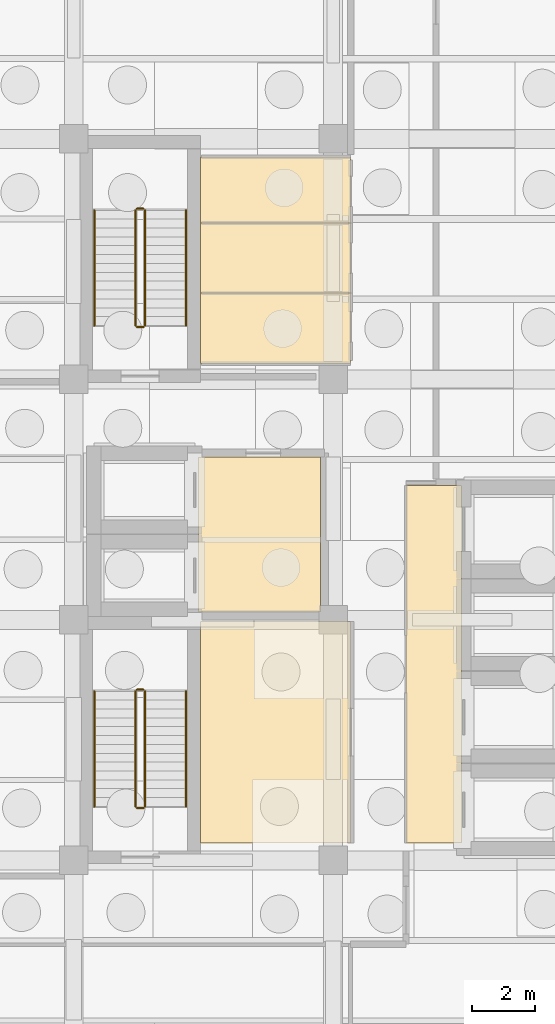
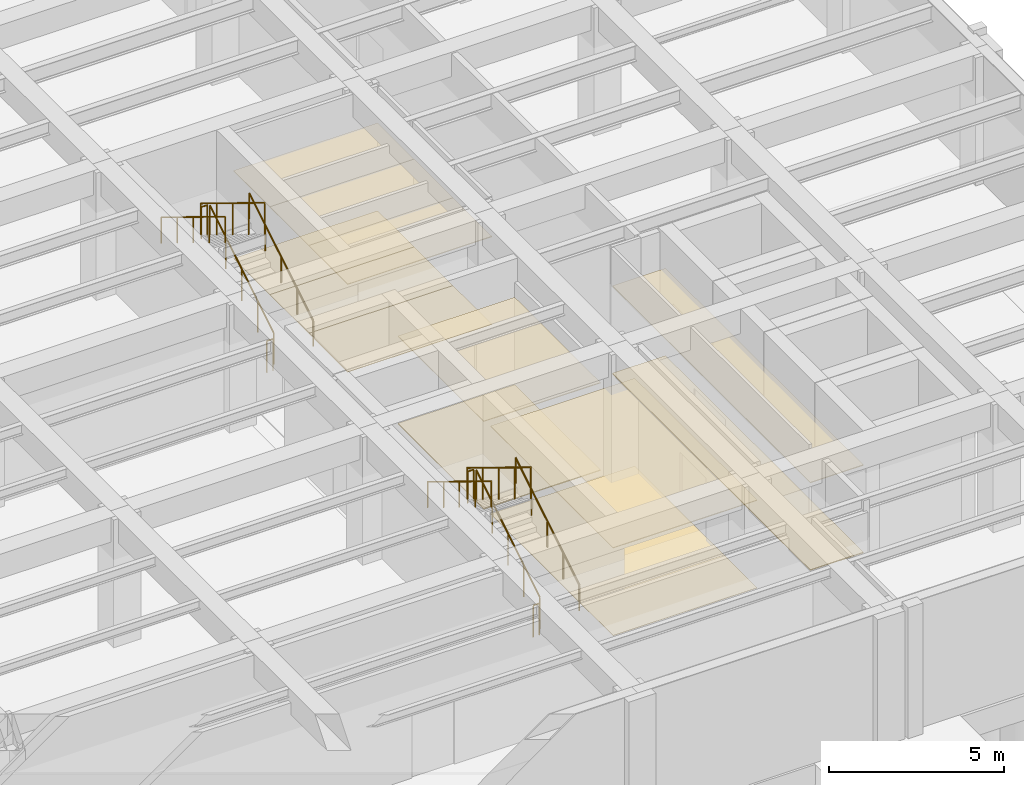
# One storey, part 26 of 29: 12 coverings, 12 railings.
"""IFC4 building model written with IfcOpenShell, lengths in metres."""

from ifc_helpers import new_model, si_unit, direction, frame, origin, origin_2d, place, context, subcontext, project, spatial, polyline, circle, outline, extrude, material, layer, layer_set, type_object, element, save


model = new_model("IFC4")

# Units and contexts
model_context = context("Model", 3, precision=1e-05, world=origin(), true_north=direction((0.0, 1.0)))
body_context = subcontext(model_context, "Body", "Model", "MODEL_VIEW")
ifc_project = project(units=[si_unit("LENGTHUNIT", "METRE"), si_unit("AREAUNIT", "SQUARE_METRE"), si_unit("VOLUMEUNIT", "CUBIC_METRE"), si_unit("PLANEANGLEUNIT", "RADIAN"), si_unit("MASSUNIT", "GRAM", prefix="KILO")], contexts=[model_context])

# Site, building, storey
site_placement = place(None, origin())
site = spatial("IfcSite", under=ifc_project, at=site_placement, CompositionType="ELEMENT")
building_placement = place(site_placement, origin())
building = spatial("IfcBuilding", under=site, at=building_placement, Name="Qandaris Square Conservatory and Botanical Centre", CompositionType="ELEMENT")
storey_placement = place(building_placement, frame((0.0, 0.0, -4.800048828125)))
storey = spatial("IfcBuildingStorey", under=building, at=storey_placement, Name="B1", CompositionType="ELEMENT", Elevation=-4.800048828125)

# Coverings
ifc_material_1 = material(Name="Honed Qatari Limestone", Category="masonry")
ifc_layer_1 = layer(ifc_material_1, 0.030029296875)
ifc_layer_set_1 = layer_set([ifc_layer_1], Name="Honed Qatari Limestone")
covering_type_1 = type_object("IfcCoveringType", Name="Honed Qatari Limestone Concourse Paving", PredefinedType="FLOORING", material=ifc_layer_set_1)
covering_1_placement = place(storey_placement, origin())
element("IfcCovering", 1, at=covering_1_placement, inside=storey, type_object=covering_type_1, Name="Firefighting Lift Lobby B1 Flooring", PredefinedType="FLOORING", context=body_context, shape_type="SweptSolid", body=[
    extrude(outline(polyline([(143.14990234375, 36.949951171875), (147.0, 36.949951171875), (147.0, 32.050048828125), (143.14990234375, 32.050048828125), (143.14990234375, 36.949951171875)])), origin(), (0.0, 0.0, 1.0), 0.030029296875),
])
covering_2_placement = place(storey_placement, origin())
element("IfcCovering", 2, at=covering_2_placement, inside=storey, type_object=covering_type_1, Name="Passenger Lift Lobby B1 Flooring", PredefinedType="FLOORING", context=body_context, shape_type="SweptSolid", body=[
    extrude(outline(polyline([(149.699951171875, 36.050048828125), (151.449951171875, 36.050048828125), (151.449951171875, 24.75), (149.699951171875, 24.75), (149.699951171875, 36.050048828125)])), origin(), (0.0, 0.0, 1.0), 0.030029296875),
])
ifc_material_2 = material(Name="Gypsum Plasterboard", Category="gypsum")
ifc_layer_2 = layer(ifc_material_2, 0.02490234375)
ifc_layer_set_2 = layer_set([ifc_layer_2], Name="Gypsum Plasterboard")
covering_type_2 = type_object("IfcCoveringType", Name="Perforated Acoustic Lab Ceiling Tile", PredefinedType="CEILING", material=ifc_layer_set_2)
covering_3_placement = place(storey_placement, frame((0.0, 0.0, 3.050048828125)))
element("IfcCovering", 3, at=covering_3_placement, inside=storey, type_object=covering_type_2, Name="Firefighting Lift Lobby B1 Ceiling", PredefinedType="CEILING", context=body_context, shape_type="SweptSolid", body=[
    extrude(outline(polyline([(143.14990234375, 36.949951171875), (147.0, 36.949951171875), (147.0, 32.050048828125), (143.14990234375, 32.050048828125), (143.14990234375, 36.949951171875)])), origin(), (0.0, 0.0, 1.0), 0.02490234375),
])
covering_4_placement = place(storey_placement, frame((0.0, 0.0, 3.050048828125)))
element("IfcCovering", 4, at=covering_4_placement, inside=storey, type_object=covering_type_2, Name="Electrical and Telecom Riser Room B1 Ceiling", PredefinedType="CEILING", context=body_context, shape_type="SweptSolid", body=[
    extrude(outline(polyline([(147.949951171875, 31.75), (147.949951171875, 24.75), (143.199951171875, 24.75), (143.199951171875, 31.75), (147.949951171875, 31.75)])), origin(), (0.0, 0.0, 1.0), 0.02490234375),
])
covering_5_placement = place(storey_placement, frame((0.0, 0.0, 3.050048828125)))
element("IfcCovering", 5, at=covering_5_placement, inside=storey, type_object=covering_type_2, Name="Passenger Lift Lobby B1 Ceiling", PredefinedType="CEILING", context=body_context, shape_type="SweptSolid", body=[
    extrude(outline(polyline([(149.699951171875, 36.050048828125), (151.449951171875, 36.050048828125), (151.449951171875, 24.75), (149.699951171875, 24.75), (149.699951171875, 36.050048828125)])), origin(), (0.0, 0.0, 1.0), 0.02490234375),
])
covering_6_placement = place(storey_placement, frame((0.0, 0.0, 3.050048828125)))
element("IfcCovering", 6, at=covering_6_placement, inside=storey, type_object=covering_type_2, Name="Accessible Toilet B1 Ceiling", PredefinedType="CEILING", context=body_context, shape_type="SweptSolid", body=[
    extrude(outline(polyline([(147.949951171875, 42.1201171875), (147.949951171875, 39.89990234375), (143.199951171875, 39.89990234375), (143.199951171875, 42.1201171875), (147.949951171875, 42.1201171875)])), origin(), (0.0, 0.0, 1.0), 0.02490234375),
])
covering_7_placement = place(storey_placement, frame((0.0, 0.0, 3.050048828125)))
element("IfcCovering", 7, at=covering_7_placement, inside=storey, type_object=covering_type_2, Name="Staff Male Toilet B1 Ceiling", PredefinedType="CEILING", context=body_context, shape_type="SweptSolid", body=[
    extrude(outline(polyline([(147.949951171875, 44.340087890625), (147.949951171875, 42.1201171875), (143.199951171875, 42.1201171875), (143.199951171875, 44.340087890625), (147.949951171875, 44.340087890625)])), origin(), (0.0, 0.0, 1.0), 0.02490234375),
])
covering_8_placement = place(storey_placement, frame((0.0, 0.0, 3.050048828125)))
element("IfcCovering", 8, at=covering_8_placement, inside=storey, type_object=covering_type_2, Name="Staff Female Toilet B1 Ceiling", PredefinedType="CEILING", context=body_context, shape_type="SweptSolid", body=[
    extrude(outline(polyline([(147.949951171875, 46.419921875), (147.949951171875, 44.340087890625), (143.199951171875, 44.340087890625), (143.199951171875, 46.419921875), (147.949951171875, 46.419921875)])), origin(), (0.0, 0.0, 1.0), 0.02490234375),
])
ifc_material_3 = material(Name="Epoxy Resin Screed", Category="finish")
ifc_layer_3 = layer(ifc_material_3, 0.014892578125)
ifc_layer_set_3 = layer_set([ifc_layer_3], Name="Epoxy Resin Screed")
covering_type_3 = type_object("IfcCoveringType", Name="Seamless Epoxy Laboratory Flooring", PredefinedType="FLOORING", material=ifc_layer_set_3)
covering_9_placement = place(storey_placement, origin())
element("IfcCovering", 9, at=covering_9_placement, inside=storey, type_object=covering_type_3, Name="Electrical and Telecom Riser Room B1 Flooring", PredefinedType="FLOORING", context=body_context, shape_type="SweptSolid", body=[
    extrude(outline(polyline([(147.949951171875, 31.75), (147.949951171875, 24.75), (143.199951171875, 24.75), (143.199951171875, 31.75), (147.949951171875, 31.75)])), origin(), (0.0, 0.0, 1.0), 0.01513671875),
])
covering_10_placement = place(storey_placement, origin())
element("IfcCovering", 10, at=covering_10_placement, inside=storey, type_object=covering_type_3, Name="Accessible Toilet B1 Flooring", PredefinedType="FLOORING", context=body_context, shape_type="SweptSolid", body=[
    extrude(outline(polyline([(147.949951171875, 42.1201171875), (147.949951171875, 39.89990234375), (143.199951171875, 39.89990234375), (143.199951171875, 42.1201171875), (147.949951171875, 42.1201171875)])), origin(), (0.0, 0.0, 1.0), 0.01513671875),
])
covering_11_placement = place(storey_placement, origin())
element("IfcCovering", 11, at=covering_11_placement, inside=storey, type_object=covering_type_3, Name="Staff Male Toilet B1 Flooring", PredefinedType="FLOORING", context=body_context, shape_type="SweptSolid", body=[
    extrude(outline(polyline([(147.949951171875, 44.340087890625), (147.949951171875, 42.1201171875), (143.199951171875, 42.1201171875), (143.199951171875, 44.340087890625), (147.949951171875, 44.340087890625)])), origin(), (0.0, 0.0, 1.0), 0.01513671875),
])
covering_12_placement = place(storey_placement, origin())
element("IfcCovering", 12, at=covering_12_placement, inside=storey, type_object=covering_type_3, Name="Staff Female Toilet B1 Flooring", PredefinedType="FLOORING", context=body_context, shape_type="SweptSolid", body=[
    extrude(outline(polyline([(147.949951171875, 46.419921875), (147.949951171875, 44.340087890625), (143.199951171875, 44.340087890625), (143.199951171875, 46.419921875), (147.949951171875, 46.419921875)])), origin(), (0.0, 0.0, 1.0), 0.01513671875),
])

# Railings
ifc_material_4 = material(Name="Stainless Steel", Category="steel")
railing_type_1 = type_object("IfcRailingType", Name="Stair Tubular Handrail 920mm", PredefinedType="HANDRAIL", material=ifc_material_4)
railing_1_placement = place(storey_placement, frame((142.75, 25.89990234375, 0.343017578125)))
element("IfcRailing", 13, at=railing_1_placement, inside=storey, type_object=railing_type_1, Name="B1 ST-1 stair handrail 1", PredefinedType="HANDRAIL", context=body_context, shape_type="SweptSolid", body=[
    extrude(circle(Radius=0.02392578125, at=origin_2d()), frame((0.0, 0.0, 0.89599609375), z_axis=(0.0, 0.852865859571, 0.52213008492), x_axis=(-1.0, 0.0, 0.0)), (0.0, 0.0, 1.0), 4.26806640625),
    extrude(circle(Radius=0.02099609375, at=origin_2d()), origin(), (0.0, 0.0, 1.0), 0.871826171875),
    extrude(circle(Radius=0.02099609375, at=origin_2d()), frame((0.0, 0.91015625, 0.55712890625)), (0.0, 0.0, 1.0), 0.871826171875),
    extrude(circle(Radius=0.02099609375, at=origin_2d()), frame((0.0, 1.820068359375, 1.1142578125)), (0.0, 0.0, 1.0), 0.871826171875),
    extrude(circle(Radius=0.02099609375, at=origin_2d()), frame((0.0, 2.72998046875, 1.67138671875)), (0.0, 0.0, 1.0), 0.871826171875),
    extrude(circle(Radius=0.02099609375, at=origin_2d()), frame((0.0, 3.64013671875, 2.228515625)), (0.0, 0.0, 1.0), 0.871826171875),
])
railing_2_placement = place(storey_placement, frame((139.85009765625, 29.5400390625, 2.742919921875)))
element("IfcRailing", 14, at=railing_2_placement, inside=storey, type_object=railing_type_1, Name="B1 ST-1 stair handrail 2", PredefinedType="HANDRAIL", context=body_context, shape_type="SweptSolid", body=[
    extrude(circle(Radius=0.02392578125, at=origin_2d()), frame((0.0, 0.0, 0.89599609375), z_axis=(0.0, -0.852865859571, 0.52213008492), x_axis=(1.0, 0.0, 0.0)), (0.0, 0.0, 1.0), 4.26806640625),
    extrude(circle(Radius=0.02099609375, at=origin_2d()), origin(), (0.0, 0.0, 1.0), 0.871826171875),
    extrude(circle(Radius=0.02099609375, at=origin_2d()), frame((0.0, -0.91015625, 0.55712890625)), (0.0, 0.0, 1.0), 0.871826171875),
    extrude(circle(Radius=0.02099609375, at=origin_2d()), frame((0.0, -1.820068359375, 1.1142578125)), (0.0, 0.0, 1.0), 0.871826171875),
    extrude(circle(Radius=0.02099609375, at=origin_2d()), frame((0.0, -2.72998046875, 1.67138671875)), (0.0, 0.0, 1.0), 0.871826171875),
    extrude(circle(Radius=0.02099609375, at=origin_2d()), frame((0.0, -3.64013671875, 2.228515625)), (0.0, 0.0, 1.0), 0.871826171875),
])
railing_3_placement = place(storey_placement, frame((142.75, 41.10009765625, 0.343017578125)))
element("IfcRailing", 15, at=railing_3_placement, inside=storey, type_object=railing_type_1, Name="B1 ST-2 stair handrail 1", PredefinedType="HANDRAIL", context=body_context, shape_type="SweptSolid", body=[
    extrude(circle(Radius=0.02392578125, at=origin_2d()), frame((0.0, 0.0, 0.89599609375), z_axis=(0.0, 0.852850264322, 0.5221555579), x_axis=(-1.0, 0.0, 0.0)), (0.0, 0.0, 1.0), 4.267822265625),
    extrude(circle(Radius=0.02099609375, at=origin_2d()), origin(), (0.0, 0.0, 1.0), 0.871826171875),
    extrude(circle(Radius=0.02099609375, at=origin_2d()), frame((0.0, 0.909912109375, 0.55712890625)), (0.0, 0.0, 1.0), 0.871826171875),
    extrude(circle(Radius=0.02099609375, at=origin_2d()), frame((0.0, 1.81982421875, 1.1142578125)), (0.0, 0.0, 1.0), 0.871826171875),
    extrude(circle(Radius=0.02099609375, at=origin_2d()), frame((0.0, 2.72998046875, 1.67138671875)), (0.0, 0.0, 1.0), 0.871826171875),
    extrude(circle(Radius=0.02099609375, at=origin_2d()), frame((0.0, 3.639892578125, 2.228515625)), (0.0, 0.0, 1.0), 0.871826171875),
])
railing_4_placement = place(storey_placement, frame((139.85009765625, 44.739990234375, 2.742919921875)))
element("IfcRailing", 16, at=railing_4_placement, inside=storey, type_object=railing_type_1, Name="B1 ST-2 stair handrail 2", PredefinedType="HANDRAIL", context=body_context, shape_type="SweptSolid", body=[
    extrude(circle(Radius=0.02392578125, at=origin_2d()), frame((0.0, 0.0, 0.89599609375), z_axis=(0.0, -0.852850264322, 0.5221555579), x_axis=(1.0, 0.0, 0.0)), (0.0, 0.0, 1.0), 4.267822265625),
    extrude(circle(Radius=0.02099609375, at=origin_2d()), origin(), (0.0, 0.0, 1.0), 0.871826171875),
    extrude(circle(Radius=0.02099609375, at=origin_2d()), frame((0.0, -0.909912109375, 0.55712890625)), (0.0, 0.0, 1.0), 0.871826171875),
    extrude(circle(Radius=0.02099609375, at=origin_2d()), frame((0.0, -1.81982421875, 1.1142578125)), (0.0, 0.0, 1.0), 0.871826171875),
    extrude(circle(Radius=0.02099609375, at=origin_2d()), frame((0.0, -2.72998046875, 1.67138671875)), (0.0, 0.0, 1.0), 0.871826171875),
    extrude(circle(Radius=0.02099609375, at=origin_2d()), frame((0.0, -3.639892578125, 2.228515625)), (0.0, 0.0, 1.0), 0.871826171875),
])
railing_type_2 = type_object("IfcRailingType", Name="Stairwell & Atrium Guardrail 1120mm", PredefinedType="GUARDRAIL", material=ifc_material_4)
railing_5_placement = place(storey_placement, frame((141.449951171875, 25.89990234375, 0.17138671875)))
element("IfcRailing", 17, at=railing_5_placement, inside=storey, type_object=railing_type_2, Name="B1 ST-1 stair guard 1", PredefinedType="GUARDRAIL", context=body_context, shape_type="SweptSolid", body=[
    extrude(circle(Radius=0.02392578125, at=origin_2d()), frame((0.0, 0.0, 1.09619140625), z_axis=(0.0, 0.852840387347, 0.522171689878), x_axis=(-1.0, 0.0, 0.0)), (0.0, 0.0, 1.0), 4.268310546875),
    extrude(circle(Radius=0.02099609375, at=origin_2d()), origin(), (0.0, 0.0, 1.0), 1.072021484375),
    extrude(circle(Radius=0.02099609375, at=origin_2d()), frame((0.0, 0.91015625, 0.55712890625)), (0.0, 0.0, 1.0), 1.072021484375),
    extrude(circle(Radius=0.02099609375, at=origin_2d()), frame((0.0, 1.820068359375, 1.1142578125)), (0.0, 0.0, 1.0), 1.072021484375),
    extrude(circle(Radius=0.02099609375, at=origin_2d()), frame((0.0, 2.72998046875, 1.671630859375)), (0.0, 0.0, 1.0), 1.072021484375),
    extrude(circle(Radius=0.02099609375, at=origin_2d()), frame((0.0, 3.64013671875, 2.228759765625)), (0.0, 0.0, 1.0), 1.072021484375),
])
railing_6_placement = place(storey_placement, frame((141.39990234375, 29.590087890625, 2.400146484375)))
element("IfcRailing", 18, at=railing_6_placement, inside=storey, type_object=railing_type_2, Name="B1 ST-1 stair guard 2", PredefinedType="GUARDRAIL", context=body_context, shape_type="SweptSolid", body=[
    extrude(circle(Radius=0.02392578125, at=origin_2d()), frame((0.0, 0.0, 1.09619140625), z_axis=(-1.0, 0.0, 0.0), x_axis=(0.0, -1.0, 0.0)), (0.0, 0.0, 1.0), 0.199951171875),
    extrude(circle(Radius=0.02099609375, at=origin_2d()), origin(), (0.0, 0.0, 1.0), 1.072021484375),
    extrude(circle(Radius=0.02099609375, at=origin_2d()), frame((-0.199951171875, 0.0, 0.0)), (0.0, 0.0, 1.0), 1.072021484375),
])
railing_7_placement = place(storey_placement, frame((141.14990234375, 29.5400390625, 2.571533203125)))
element("IfcRailing", 19, at=railing_7_placement, inside=storey, type_object=railing_type_2, Name="B1 ST-1 stair guard 3", PredefinedType="GUARDRAIL", context=body_context, shape_type="SweptSolid", body=[
    extrude(circle(Radius=0.02392578125, at=origin_2d()), frame((0.0, 0.0, 1.09619140625), z_axis=(0.0, -0.852865859571, 0.52213008492), x_axis=(1.0, 0.0, 0.0)), (0.0, 0.0, 1.0), 4.26806640625),
    extrude(circle(Radius=0.02099609375, at=origin_2d()), origin(), (0.0, 0.0, 1.0), 1.072021484375),
    extrude(circle(Radius=0.02099609375, at=origin_2d()), frame((0.0, -0.91015625, 0.55712890625)), (0.0, 0.0, 1.0), 1.072021484375),
    extrude(circle(Radius=0.02099609375, at=origin_2d()), frame((0.0, -1.820068359375, 1.1142578125)), (0.0, 0.0, 1.0), 1.072021484375),
    extrude(circle(Radius=0.02099609375, at=origin_2d()), frame((0.0, -2.72998046875, 1.67138671875)), (0.0, 0.0, 1.0), 1.072021484375),
    extrude(circle(Radius=0.02099609375, at=origin_2d()), frame((0.0, -3.64013671875, 2.228515625)), (0.0, 0.0, 1.0), 1.072021484375),
])
railing_8_placement = place(storey_placement, frame((141.39990234375, 25.85009765625, 0.0)))
element("IfcRailing", 20, at=railing_8_placement, inside=storey, type_object=railing_type_2, Name="B1 ST-1 stair guard 4", PredefinedType="GUARDRAIL", context=body_context, shape_type="SweptSolid", body=[
    extrude(circle(Radius=0.02392578125, at=origin_2d()), frame((0.0, 0.0, 1.09619140625), z_axis=(-1.0, 0.0, 0.0), x_axis=(0.0, -1.0, 0.0)), (0.0, 0.0, 1.0), 0.199951171875),
    extrude(circle(Radius=0.02099609375, at=origin_2d()), origin(), (0.0, 0.0, 1.0), 1.072021484375),
    extrude(circle(Radius=0.02099609375, at=origin_2d()), frame((-0.199951171875, 0.0, 0.0)), (0.0, 0.0, 1.0), 1.072021484375),
])
railing_9_placement = place(storey_placement, frame((141.449951171875, 41.10009765625, 0.17138671875)))
element("IfcRailing", 21, at=railing_9_placement, inside=storey, type_object=railing_type_2, Name="B1 ST-2 stair guard 1", PredefinedType="GUARDRAIL", context=body_context, shape_type="SweptSolid", body=[
    extrude(circle(Radius=0.02392578125, at=origin_2d()), frame((0.0, 0.0, 1.09619140625), z_axis=(0.0, 0.852824790078, 0.522197163366), x_axis=(-1.0, 0.0, 0.0)), (0.0, 0.0, 1.0), 4.26806640625),
    extrude(circle(Radius=0.02099609375, at=origin_2d()), origin(), (0.0, 0.0, 1.0), 1.072021484375),
    extrude(circle(Radius=0.02099609375, at=origin_2d()), frame((0.0, 0.909912109375, 0.55712890625)), (0.0, 0.0, 1.0), 1.072021484375),
    extrude(circle(Radius=0.02099609375, at=origin_2d()), frame((0.0, 1.81982421875, 1.1142578125)), (0.0, 0.0, 1.0), 1.072021484375),
    extrude(circle(Radius=0.02099609375, at=origin_2d()), frame((0.0, 2.72998046875, 1.671630859375)), (0.0, 0.0, 1.0), 1.072021484375),
    extrude(circle(Radius=0.02099609375, at=origin_2d()), frame((0.0, 3.639892578125, 2.228759765625)), (0.0, 0.0, 1.0), 1.072021484375),
])
railing_10_placement = place(storey_placement, frame((141.39990234375, 44.7900390625, 2.400146484375)))
element("IfcRailing", 22, at=railing_10_placement, inside=storey, type_object=railing_type_2, Name="B1 ST-2 stair guard 2", PredefinedType="GUARDRAIL", context=body_context, shape_type="SweptSolid", body=[
    extrude(circle(Radius=0.02392578125, at=origin_2d()), frame((0.0, 0.0, 1.09619140625), z_axis=(-1.0, 0.0, 0.0), x_axis=(0.0, -1.0, 0.0)), (0.0, 0.0, 1.0), 0.199951171875),
    extrude(circle(Radius=0.02099609375, at=origin_2d()), origin(), (0.0, 0.0, 1.0), 1.072021484375),
    extrude(circle(Radius=0.02099609375, at=origin_2d()), frame((-0.199951171875, 0.0, 0.0)), (0.0, 0.0, 1.0), 1.072021484375),
])
railing_11_placement = place(storey_placement, frame((141.14990234375, 44.739990234375, 2.571533203125)))
element("IfcRailing", 23, at=railing_11_placement, inside=storey, type_object=railing_type_2, Name="B1 ST-2 stair guard 3", PredefinedType="GUARDRAIL", context=body_context, shape_type="SweptSolid", body=[
    extrude(circle(Radius=0.02392578125, at=origin_2d()), frame((0.0, 0.0, 1.09619140625), z_axis=(0.0, -0.852850264322, 0.5221555579), x_axis=(1.0, 0.0, 0.0)), (0.0, 0.0, 1.0), 4.267822265625),
    extrude(circle(Radius=0.02099609375, at=origin_2d()), origin(), (0.0, 0.0, 1.0), 1.072021484375),
    extrude(circle(Radius=0.02099609375, at=origin_2d()), frame((0.0, -0.909912109375, 0.55712890625)), (0.0, 0.0, 1.0), 1.072021484375),
    extrude(circle(Radius=0.02099609375, at=origin_2d()), frame((0.0, -1.81982421875, 1.1142578125)), (0.0, 0.0, 1.0), 1.072021484375),
    extrude(circle(Radius=0.02099609375, at=origin_2d()), frame((0.0, -2.72998046875, 1.67138671875)), (0.0, 0.0, 1.0), 1.072021484375),
    extrude(circle(Radius=0.02099609375, at=origin_2d()), frame((0.0, -3.639892578125, 2.228515625)), (0.0, 0.0, 1.0), 1.072021484375),
])
railing_12_placement = place(storey_placement, frame((141.39990234375, 41.050048828125, 0.0)))
element("IfcRailing", 24, at=railing_12_placement, inside=storey, type_object=railing_type_2, Name="B1 ST-2 stair guard 4", PredefinedType="GUARDRAIL", context=body_context, shape_type="SweptSolid", body=[
    extrude(circle(Radius=0.02392578125, at=origin_2d()), frame((0.0, 0.0, 1.09619140625), z_axis=(-1.0, 0.0, 0.0), x_axis=(0.0, -1.0, 0.0)), (0.0, 0.0, 1.0), 0.199951171875),
    extrude(circle(Radius=0.02099609375, at=origin_2d()), origin(), (0.0, 0.0, 1.0), 1.072021484375),
    extrude(circle(Radius=0.02099609375, at=origin_2d()), frame((-0.199951171875, 0.0, 0.0)), (0.0, 0.0, 1.0), 1.072021484375),
])

save(model, "model.ifc")
